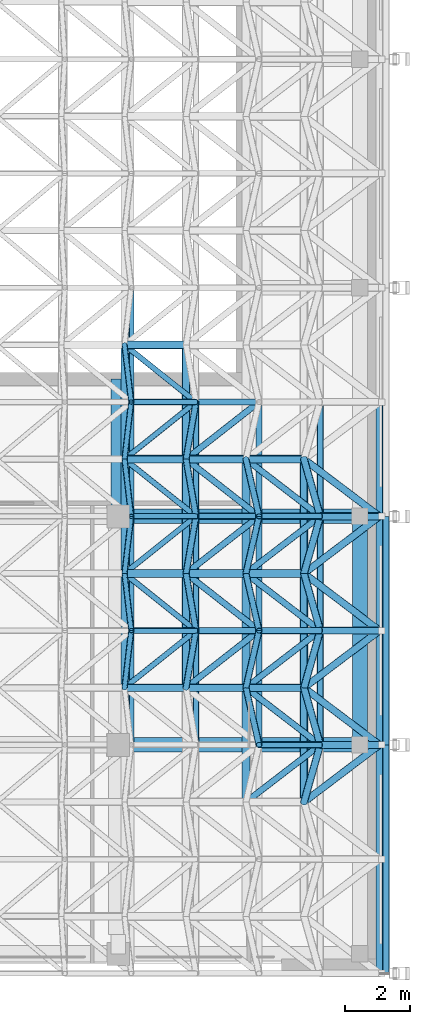
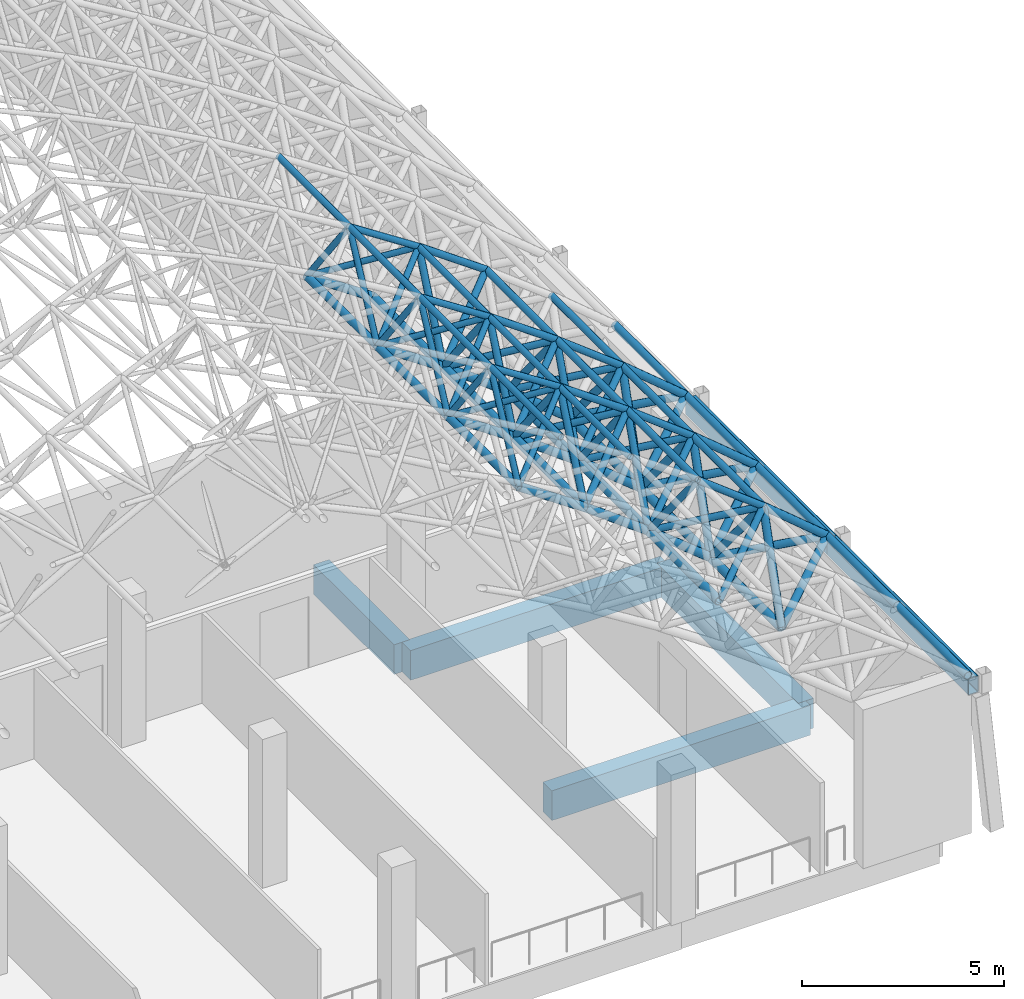
# One storey, part 48 of 141: 97 members, 6 beams.
"""IFC4 building model written with IfcOpenShell, lengths in metres."""

from ifc_helpers import new_model, si_unit, direction, frame, origin, origin_2d, place, context, subcontext, project, spatial, rectangle, hollow_rectangle, hollow_circle, extrude, material, material_profile, profile_set, type_object, element, save


model = new_model("IFC4")

# Units and contexts
model_context = context("Model", 3, precision=1e-05, world=origin(), true_north=direction((0.0, 1.0)))
body_context = subcontext(model_context, "Body", "Model", "MODEL_VIEW")
ifc_project = project(units=[si_unit("LENGTHUNIT", "METRE"), si_unit("AREAUNIT", "SQUARE_METRE"), si_unit("VOLUMEUNIT", "CUBIC_METRE"), si_unit("PLANEANGLEUNIT", "RADIAN"), si_unit("MASSUNIT", "GRAM", prefix="KILO")], contexts=[model_context])

# Site, building, storey
site_placement = place(None, origin())
site = spatial("IfcSite", under=ifc_project, at=site_placement, CompositionType="ELEMENT")
building_placement = place(site_placement, origin())
building = spatial("IfcBuilding", under=site, at=building_placement, Name="Lantern Court Media Centre", CompositionType="ELEMENT")
storey_placement = place(building_placement, frame((0.0, 0.0, 9.60009765625)))
storey = spatial("IfcBuildingStorey", under=building, at=storey_placement, Name="L02", CompositionType="ELEMENT", Elevation=9.60009765625)

# Beams
ifc_material_1 = material(Name="Concrete C35", Category="concrete")
ifc_material_profile_1 = material_profile(ifc_material_1, rectangle(XDim=0.449951171875, YDim=0.89990234375, at=origin_2d()), Name="RC 450x900")
ifc_profile_set_1 = profile_set([ifc_material_profile_1], Name="Concrete C35")
beam_type_1 = type_object("IfcBeamType", Name="RC BEAM 450x900", PredefinedType="BEAM", material=ifc_profile_set_1)
for number, where, z_axis, x_axis, name in (
    (1, (96.0, 5.0, -0.4501953125), (1.0, 0.0, 0.0), (0.0, 1.0, 0.0), "HB-V2-L02-FX1-3"),
    (2, (96.0, 12.0, -0.4501953125), (1.0, 0.0, 0.0), (0.0, 1.0, 0.0), "HB-V2-L02-FX2-3"),
):
    element("IfcBeam", number, at=place(storey_placement, frame(where, z_axis=z_axis, x_axis=x_axis)), inside=storey, type_object=beam_type_1, Name=name, PredefinedType="BEAM", context=body_context, shape_type="SweptSolid", body=[
        extrude(rectangle(XDim=0.449951171875, YDim=0.89990234375, at=origin_2d()), origin(), (0.0, 0.0, 1.0), 7.39990234375),
    ])
beam_1_placement = place(storey_placement, frame((96.0, 12.199951171875, -0.4501953125), z_axis=(0.0, 1.0, 0.0), x_axis=(-1.0, 0.0, 0.0)))
element("IfcBeam", 3, at=beam_1_placement, inside=storey, type_object=beam_type_1, Name="HB-V2-L02-FY3-2", PredefinedType="BEAM", context=body_context, shape_type="SweptSolid", body=[
    extrude(rectangle(XDim=0.449951171875, YDim=0.89990234375, at=origin_2d()), origin(), (0.0, 0.0, 1.0), 4.0),
])
beam_2_placement = place(storey_placement, frame((103.39990234375, 5.0, -0.4501953125), z_axis=(0.0, 1.0, 0.0), x_axis=(-1.0, 0.0, 0.0)))
element("IfcBeam", 4, at=beam_2_placement, inside=storey, type_object=beam_type_1, Name="HB-V2-L02-FY4-1", PredefinedType="BEAM", context=body_context, shape_type="SweptSolid", body=[
    extrude(rectangle(XDim=0.449951171875, YDim=0.89990234375, at=origin_2d()), origin(), (0.0, 0.0, 1.0), 7.0),
])

# Members
ifc_material_2 = material(Name="Steel S355J2 (EN 10025-2)", Category="steel")
ifc_material_profile_2 = material_profile(ifc_material_2, hollow_circle(Radius=0.109619140625, WallThickness=0.010009765625, at=origin_2d()), Name="Studio Hall bottom CHS 219.1x10")
ifc_profile_set_2 = profile_set([ifc_material_profile_2], Name="Steel S355J2 (EN 10025-2)")
member_type_1 = type_object("IfcMemberType", Name="Studio Hall bottom CHS 219.1x10", PredefinedType="CHORD", material=ifc_profile_set_2)
for number, where, z_axis, x_axis, name in (
    (5, (96.19091796875, 6.75, 7.953125), (0.0, 1.0, 0.0), (-1.0, 0.0, 0.0), "Studio Hall bottom chord 13-03"),
    (6, (96.19091796875, 10.25, 7.953125), (0.0, 1.0, 0.0), (-1.0, 0.0, 0.0), "Studio Hall bottom chord 13-04"),
    (7, (96.19091796875, 13.75, 7.953125), (0.0, 1.0, 0.0), (-1.0, 0.0, 0.0), "Studio Hall bottom chord 13-05"),
):
    element("IfcMember", number, at=place(storey_placement, frame(where, z_axis=z_axis, x_axis=x_axis)), inside=storey, type_object=member_type_1, Name=name, PredefinedType="CHORD", context=body_context, shape_type="SweptSolid", body=[
        extrude(hollow_circle(Radius=0.109619140625, WallThickness=0.010009765625, at=origin_2d()), origin(), (0.0, 0.0, 1.0), 3.5),
    ])
ifc_material_profile_3 = material_profile(ifc_material_2, hollow_circle(Radius=0.122314453125, WallThickness=0.012451171875, at=origin_2d()), Name="Studio Hall bottom CHS 244.5x12.5")
ifc_profile_set_3 = profile_set([ifc_material_profile_3], Name="Steel S355J2 (EN 10025-2)")
member_type_2 = type_object("IfcMemberType", Name="Studio Hall bottom CHS 244.5x12.5", PredefinedType="CHORD", material=ifc_profile_set_3)
for number, where, z_axis, x_axis, name in (
    (8, (98.076171875, 6.75, 6.66845703125), (0.0, 1.0, 0.0), (-1.0, 0.0, 0.0), "Studio Hall bottom chord 14-03"),
    (9, (98.076171875, 10.25, 6.66845703125), (0.0, 1.0, 0.0), (-1.0, 0.0, 0.0), "Studio Hall bottom chord 14-04"),
    (10, (98.076171875, 13.75, 6.66845703125), (0.0, 1.0, 0.0), (-1.0, 0.0, 0.0), "Studio Hall bottom chord 14-05"),
):
    element("IfcMember", number, at=place(storey_placement, frame(where, z_axis=z_axis, x_axis=x_axis)), inside=storey, type_object=member_type_2, Name=name, PredefinedType="CHORD", context=body_context, shape_type="SweptSolid", body=[
        extrude(hollow_circle(Radius=0.122314453125, WallThickness=0.012451171875, at=origin_2d()), origin(), (0.0, 0.0, 1.0), 3.5),
    ])
for number, where, z_axis, x_axis, name in (
    (11, (96.19091796875, 6.75, 7.953125), (0.826376743552, 0.0, -0.563117641099), (0.0, 1.0, 0.0), "Studio Hall bottom chord 13-03 across"),
    (12, (96.19091796875, 10.25, 7.953125), (0.826376743552, 0.0, -0.563117641099), (0.0, 1.0, 0.0), "Studio Hall bottom chord 13-04 across"),
    (13, (96.19091796875, 13.75, 7.953125), (0.826376743552, 0.0, -0.563117641099), (0.0, 1.0, 0.0), "Studio Hall bottom chord 13-05 across"),
    (14, (96.19091796875, 17.25, 7.953125), (0.826376743552, 0.0, -0.563117641099), (0.0, 1.0, 0.0), "Studio Hall bottom chord 13-06 across"),
):
    element("IfcMember", number, at=place(storey_placement, frame(where, z_axis=z_axis, x_axis=x_axis)), inside=storey, type_object=member_type_2, Name=name, PredefinedType="CHORD", context=body_context, shape_type="SweptSolid", body=[
        extrude(hollow_circle(Radius=0.122314453125, WallThickness=0.012451171875, at=origin_2d()), origin(), (0.0, 0.0, 1.0), 2.28125),
    ])
ifc_material_profile_4 = material_profile(ifc_material_2, hollow_circle(Radius=0.122314453125, WallThickness=0.01611328125, at=origin_2d()), Name="Studio Hall bottom CHS 244.5x16")
ifc_profile_set_4 = profile_set([ifc_material_profile_4], Name="Steel S355J2 (EN 10025-2)")
member_type_3 = type_object("IfcMemberType", Name="Studio Hall bottom CHS 244.5x16", PredefinedType="CHORD", material=ifc_profile_set_4)
for number, where, z_axis, x_axis, name in (
    (15, (99.909423828125, 3.25, 5.310546875), (0.0, 1.0, 0.0), (-1.0, 0.0, 0.0), "Studio Hall bottom chord 15-02"),
    (16, (99.909423828125, 6.75, 5.310546875), (0.0, 1.0, 0.0), (-1.0, 0.0, 0.0), "Studio Hall bottom chord 15-03"),
    (17, (99.909423828125, 10.25, 5.310546875), (0.0, 1.0, 0.0), (-1.0, 0.0, 0.0), "Studio Hall bottom chord 15-04"),
):
    element("IfcMember", number, at=place(storey_placement, frame(where, z_axis=z_axis, x_axis=x_axis)), inside=storey, type_object=member_type_3, Name=name, PredefinedType="CHORD", context=body_context, shape_type="SweptSolid", body=[
        extrude(hollow_circle(Radius=0.122314453125, WallThickness=0.01611328125, at=origin_2d()), origin(), (0.0, 0.0, 1.0), 3.5),
    ])
for number, where, z_axis, x_axis, name in (
    (18, (98.076171875, 6.75, 6.66845703125), (0.803568567589, 0.0, -0.59521219509), (0.0, 1.0, 0.0), "Studio Hall bottom chord 14-03 across"),
    (19, (98.076171875, 10.25, 6.66845703125), (0.803568567589, 0.0, -0.59521219509), (0.0, 1.0, 0.0), "Studio Hall bottom chord 14-04 across"),
    (20, (98.076171875, 13.75, 6.66845703125), (0.803568567589, 0.0, -0.59521219509), (0.0, 1.0, 0.0), "Studio Hall bottom chord 14-05 across"),
):
    element("IfcMember", number, at=place(storey_placement, frame(where, z_axis=z_axis, x_axis=x_axis)), inside=storey, type_object=member_type_3, Name=name, PredefinedType="CHORD", context=body_context, shape_type="SweptSolid", body=[
        extrude(hollow_circle(Radius=0.122314453125, WallThickness=0.01611328125, at=origin_2d()), origin(), (0.0, 0.0, 1.0), 2.281494140625),
    ])
ifc_material_profile_5 = material_profile(ifc_material_2, hollow_circle(Radius=0.122314453125, WallThickness=0.02001953125, at=origin_2d()), Name="Studio Hall bottom CHS 244.5x20")
ifc_profile_set_5 = profile_set([ifc_material_profile_5], Name="Steel S355J2 (EN 10025-2)")
member_type_4 = type_object("IfcMemberType", Name="Studio Hall bottom CHS 244.5x20", PredefinedType="CHORD", material=ifc_profile_set_5)
for number, where, z_axis, x_axis, name in (
    (21, (101.6875, 3.25, 3.881591796875), (0.0, 1.0, 0.0), (-1.0, 0.0, 0.0), "Studio Hall bottom chord 16-02"),
    (22, (101.6875, 6.75, 3.881591796875), (0.0, 1.0, 0.0), (-1.0, 0.0, 0.0), "Studio Hall bottom chord 16-03"),
    (23, (101.6875, 10.25, 3.881591796875), (0.0, 1.0, 0.0), (-1.0, 0.0, 0.0), "Studio Hall bottom chord 16-04"),
):
    element("IfcMember", number, at=place(storey_placement, frame(where, z_axis=z_axis, x_axis=x_axis)), inside=storey, type_object=member_type_4, Name=name, PredefinedType="CHORD", context=body_context, shape_type="SweptSolid", body=[
        extrude(hollow_circle(Radius=0.122314453125, WallThickness=0.02001953125, at=origin_2d()), origin(), (0.0, 0.0, 1.0), 3.5),
    ])
for number, where, z_axis, x_axis, name in (
    (24, (99.909423828125, 6.75, 5.310546875), (0.779478138425, 0.0, -0.626429430757), (0.0, 1.0, 0.0), "Studio Hall bottom chord 15-03 across"),
    (25, (99.909423828125, 10.25, 5.310546875), (0.779478138425, 0.0, -0.626429430757), (0.0, 1.0, 0.0), "Studio Hall bottom chord 15-04 across"),
    (26, (99.909423828125, 13.75, 5.310546875), (0.779478138425, 0.0, -0.626429430757), (0.0, 1.0, 0.0), "Studio Hall bottom chord 15-05 across"),
):
    element("IfcMember", number, at=place(storey_placement, frame(where, z_axis=z_axis, x_axis=x_axis)), inside=storey, type_object=member_type_4, Name=name, PredefinedType="CHORD", context=body_context, shape_type="SweptSolid", body=[
        extrude(hollow_circle(Radius=0.122314453125, WallThickness=0.02001953125, at=origin_2d()), origin(), (0.0, 0.0, 1.0), 2.281005859375),
    ])
ifc_material_profile_6 = material_profile(ifc_material_2, hollow_circle(Radius=0.084228515625, WallThickness=0.008056640625, at=origin_2d()), Name="Studio Hall diagonal CHS 168.3x8")
ifc_profile_set_6 = profile_set([ifc_material_profile_6], Name="Steel S355J2 (EN 10025-2)")
member_type_5 = type_object("IfcMemberType", Name="Studio Hall diagonal CHS 168.3x8", PredefinedType="BRACE", material=ifc_profile_set_6)
for number, where, z_axis, x_axis, name in (
    (27, (96.19091796875, 6.75, 7.953125), (0.719205791884, 0.57530042587, 0.38957983638), (-0.624652537065, 0.780902815937, 0.0), "Studio Hall diagonal 13-03-3"),
    (28, (96.19091796875, 6.75, 7.953125), (0.067256187735, 0.575289204878, 0.815180308865), (-0.993235466132, 0.116117650756, 0.0), "Studio Hall diagonal 13-03-4"),
    (29, (96.19091796875, 10.25, 7.953125), (0.067256187735, -0.575289204878, 0.815180308865), (0.993235466132, 0.116117650756, 0.0), "Studio Hall diagonal 13-04-1"),
    (30, (96.19091796875, 10.25, 7.953125), (0.719205791884, -0.57530042587, 0.38957983638), (0.624652537065, 0.780902815937, 0.0), "Studio Hall diagonal 13-04-2"),
    (31, (96.19091796875, 10.25, 7.953125), (0.719205791884, 0.57530042587, 0.38957983638), (-0.624652537065, 0.780902815937, 0.0), "Studio Hall diagonal 13-04-3"),
    (32, (96.19091796875, 10.25, 7.953125), (0.067256187735, 0.575289204878, 0.815180308865), (-0.993235466132, 0.116117650756, 0.0), "Studio Hall diagonal 13-04-4"),
    (33, (96.19091796875, 13.75, 7.953125), (0.067256187735, -0.575289204878, 0.815180308865), (0.993235466132, 0.116117650756, 0.0), "Studio Hall diagonal 13-05-1"),
    (34, (96.19091796875, 13.75, 7.953125), (0.719205791884, -0.57530042587, 0.38957983638), (0.624652537065, 0.780902815937, 0.0), "Studio Hall diagonal 13-05-2"),
    (35, (96.19091796875, 13.75, 7.953125), (0.719205791884, 0.57530042587, 0.38957983638), (-0.624652537065, 0.780902815937, 0.0), "Studio Hall diagonal 13-05-3"),
    (36, (96.19091796875, 13.75, 7.953125), (0.067256187735, 0.575289204878, 0.815180308865), (-0.993235466132, 0.116117650756, 0.0), "Studio Hall diagonal 13-05-4"),
    (37, (96.19091796875, 17.25, 7.953125), (0.067256187735, -0.575289204878, 0.815180308865), (0.993235466132, 0.116117650756, 0.0), "Studio Hall diagonal 13-06-1"),
    (38, (96.19091796875, 17.25, 7.953125), (0.719205791884, -0.57530042587, 0.38957983638), (0.624652537065, 0.780902815937, 0.0), "Studio Hall diagonal 13-06-2"),
):
    element("IfcMember", number, at=place(storey_placement, frame(where, z_axis=z_axis, x_axis=x_axis)), inside=storey, type_object=member_type_5, Name=name, PredefinedType="BRACE", context=body_context, shape_type="SweptSolid", body=[
        extrude(hollow_circle(Radius=0.084228515625, WallThickness=0.008056640625, at=origin_2d()), origin(), (0.0, 0.0, 1.0), 3.0419921875),
    ])
ifc_material_profile_7 = material_profile(ifc_material_2, hollow_circle(Radius=0.096923828125, WallThickness=0.010009765625, at=origin_2d()), Name="Studio Hall diagonal CHS 193.7x10")
ifc_profile_set_7 = profile_set([ifc_material_profile_7], Name="Steel S355J2 (EN 10025-2)")
member_type_6 = type_object("IfcMemberType", Name="Studio Hall diagonal CHS 193.7x10", PredefinedType="BRACE", material=ifc_profile_set_7)
for number, where, z_axis, x_axis, name in (
    (39, (99.909423828125, 3.25, 5.310546875), (0.747676961141, 0.575284291269, 0.331703400644), (-0.609809429153, 0.792548080634, 0.0), "Studio Hall diagonal 15-02-3"),
    (40, (99.909423828125, 6.75, 5.310546875), (0.13137534314, -0.575258680284, 0.807352444706), (0.97489985117, 0.222643841569, 0.0), "Studio Hall diagonal 15-03-1"),
    (41, (99.909423828125, 6.75, 5.310546875), (0.747676961141, -0.575284291269, 0.331703400644), (0.609809429153, 0.792548080634, 0.0), "Studio Hall diagonal 15-03-2"),
    (42, (99.909423828125, 6.75, 5.310546875), (0.747676961141, 0.575284291269, 0.331703400644), (-0.609809429153, 0.792548080634, 0.0), "Studio Hall diagonal 15-03-3"),
    (43, (99.909423828125, 6.75, 5.310546875), (0.13137534314, 0.575258680284, 0.807352444706), (-0.97489985117, 0.222643841569, 0.0), "Studio Hall diagonal 15-03-4"),
    (44, (99.909423828125, 10.25, 5.310546875), (0.13137534314, -0.575258680284, 0.807352444706), (0.97489985117, 0.222643841569, 0.0), "Studio Hall diagonal 15-04-1"),
    (45, (99.909423828125, 10.25, 5.310546875), (0.747676961141, -0.575284291269, 0.331703400644), (0.609809429153, 0.792548080634, 0.0), "Studio Hall diagonal 15-04-2"),
    (46, (99.909423828125, 10.25, 5.310546875), (0.747676961141, 0.575284291269, 0.331703400644), (-0.609809429153, 0.792548080634, 0.0), "Studio Hall diagonal 15-04-3"),
    (47, (99.909423828125, 10.25, 5.310546875), (0.13137534314, 0.575258680284, 0.807352444706), (-0.97489985117, 0.222643841569, 0.0), "Studio Hall diagonal 15-04-4"),
    (48, (99.909423828125, 13.75, 5.310546875), (0.13137534314, -0.575258680284, 0.807352444706), (0.97489985117, 0.222643841569, 0.0), "Studio Hall diagonal 15-05-1"),
    (49, (99.909423828125, 13.75, 5.310546875), (0.747676961141, -0.575284291269, 0.331703400644), (0.609809429153, 0.792548080634, 0.0), "Studio Hall diagonal 15-05-2"),
):
    element("IfcMember", number, at=place(storey_placement, frame(where, z_axis=z_axis, x_axis=x_axis)), inside=storey, type_object=member_type_6, Name=name, PredefinedType="BRACE", context=body_context, shape_type="SweptSolid", body=[
        extrude(hollow_circle(Radius=0.096923828125, WallThickness=0.010009765625, at=origin_2d()), origin(), (0.0, 0.0, 1.0), 3.0419921875),
    ])
ifc_material_profile_8 = material_profile(ifc_material_2, hollow_circle(Radius=0.096923828125, WallThickness=0.008056640625, at=origin_2d()), Name="Studio Hall diagonal CHS 193.7x8")
ifc_profile_set_8 = profile_set([ifc_material_profile_8], Name="Steel S355J2 (EN 10025-2)")
member_type_7 = type_object("IfcMemberType", Name="Studio Hall diagonal CHS 193.7x8", PredefinedType="BRACE", material=ifc_profile_set_8)
for number, where, z_axis, x_axis, name in (
    (50, (98.076171875, 6.75, 6.66845703125), (0.734005385991, 0.57526247614, 0.360983624118), (-0.616855729008, 0.787076241282, 0.0), "Studio Hall diagonal 14-03-3"),
    (51, (98.076171875, 6.75, 6.66845703125), (0.099439098635, 0.575286084759, 0.811885328323), (-0.985387799185, 0.170325820758, 0.0), "Studio Hall diagonal 14-03-4"),
    (52, (98.076171875, 10.25, 6.66845703125), (0.099439098635, -0.575286084759, 0.811885328323), (0.985387799185, 0.170325820758, 0.0), "Studio Hall diagonal 14-04-1"),
    (53, (98.076171875, 10.25, 6.66845703125), (0.734005385991, -0.57526247614, 0.360983624118), (0.616855729008, 0.787076241282, 0.0), "Studio Hall diagonal 14-04-2"),
    (54, (98.076171875, 10.25, 6.66845703125), (0.734005385991, 0.57526247614, 0.360983624118), (-0.616855729008, 0.787076241282, 0.0), "Studio Hall diagonal 14-04-3"),
    (55, (98.076171875, 10.25, 6.66845703125), (0.099439098635, 0.575286084759, 0.811885328323), (-0.985387799185, 0.170325820758, 0.0), "Studio Hall diagonal 14-04-4"),
    (56, (98.076171875, 13.75, 6.66845703125), (0.099439098635, -0.575286084759, 0.811885328323), (0.985387799185, 0.170325820758, 0.0), "Studio Hall diagonal 14-05-1"),
    (57, (98.076171875, 13.75, 6.66845703125), (0.734005385991, -0.57526247614, 0.360983624118), (0.616855729008, 0.787076241282, 0.0), "Studio Hall diagonal 14-05-2"),
    (58, (98.076171875, 13.75, 6.66845703125), (0.734005385991, 0.57526247614, 0.360983624118), (-0.616855729008, 0.787076241282, 0.0), "Studio Hall diagonal 14-05-3"),
    (59, (98.076171875, 13.75, 6.66845703125), (0.099439098635, 0.575286084759, 0.811885328323), (-0.985387799185, 0.170325820758, 0.0), "Studio Hall diagonal 14-05-4"),
):
    element("IfcMember", number, at=place(storey_placement, frame(where, z_axis=z_axis, x_axis=x_axis)), inside=storey, type_object=member_type_7, Name=name, PredefinedType="BRACE", context=body_context, shape_type="SweptSolid", body=[
        extrude(hollow_circle(Radius=0.096923828125, WallThickness=0.008056640625, at=origin_2d()), origin(), (0.0, 0.0, 1.0), 3.0419921875),
    ])
ifc_material_profile_9 = material_profile(ifc_material_2, hollow_circle(Radius=0.109619140625, WallThickness=0.010009765625, at=origin_2d()), Name="Studio Hall diagonal CHS 219.1x10")
ifc_profile_set_9 = profile_set([ifc_material_profile_9], Name="Steel S355J2 (EN 10025-2)")
member_type_8 = type_object("IfcMemberType", Name="Studio Hall diagonal CHS 219.1x10", PredefinedType="BRACE", material=ifc_profile_set_9)
member_1_placement = place(storey_placement, frame((101.6875, 3.25, 3.881591796875), z_axis=(0.760210907984, 0.575294741177, 0.301853169862), x_axis=(-0.603442670186, 0.797406385602, 0.0)))
element("IfcMember", 60, at=member_1_placement, inside=storey, type_object=member_type_8, Name="Studio Hall diagonal 16-02-3", PredefinedType="BRACE", context=body_context, shape_type="SweptSolid", body=[
    extrude(hollow_circle(Radius=0.109619140625, WallThickness=0.010009765625, at=origin_2d()), origin(), (0.0, 0.0, 1.0), 3.0419921875),
])
for number, where, z_axis, x_axis, name in (
    (61, (101.6875, 3.25, 3.881591796875), (0.163171626005, 0.575314419679, 0.801491321835), (-0.962053941871, 0.2728593281, 0.0), "Studio Hall diagonal 16-02-4"),
    (62, (101.6875, 6.75, 3.881591796875), (0.163171626005, -0.575314419679, 0.801491321835), (0.962053941871, 0.2728593281, 0.0), "Studio Hall diagonal 16-03-1"),
):
    element("IfcMember", number, at=place(storey_placement, frame(where, z_axis=z_axis, x_axis=x_axis)), inside=storey, type_object=member_type_8, Name=name, PredefinedType="BRACE", context=body_context, shape_type="SweptSolid", body=[
        extrude(hollow_circle(Radius=0.109619140625, WallThickness=0.010009765625, at=origin_2d()), origin(), (0.0, 0.0, 1.0), 3.041748046875),
    ])
for number, where, z_axis, x_axis, name in (
    (63, (101.6875, 6.75, 3.881591796875), (0.760210907984, -0.575294741177, 0.301853169862), (0.603442670186, 0.797406385602, 0.0), "Studio Hall diagonal 16-03-2"),
    (64, (101.6875, 6.75, 3.881591796875), (0.760210907984, 0.575294741177, 0.301853169862), (-0.603442670186, 0.797406385602, 0.0), "Studio Hall diagonal 16-03-3"),
):
    element("IfcMember", number, at=place(storey_placement, frame(where, z_axis=z_axis, x_axis=x_axis)), inside=storey, type_object=member_type_8, Name=name, PredefinedType="BRACE", context=body_context, shape_type="SweptSolid", body=[
        extrude(hollow_circle(Radius=0.109619140625, WallThickness=0.010009765625, at=origin_2d()), origin(), (0.0, 0.0, 1.0), 3.0419921875),
    ])
for number, where, z_axis, x_axis, name in (
    (65, (101.6875, 6.75, 3.881591796875), (0.163171626005, 0.575314419679, 0.801491321835), (-0.962053941871, 0.2728593281, 0.0), "Studio Hall diagonal 16-03-4"),
    (66, (101.6875, 10.25, 3.881591796875), (0.163171626005, -0.575314419679, 0.801491321835), (0.962053941871, 0.2728593281, 0.0), "Studio Hall diagonal 16-04-1"),
):
    element("IfcMember", number, at=place(storey_placement, frame(where, z_axis=z_axis, x_axis=x_axis)), inside=storey, type_object=member_type_8, Name=name, PredefinedType="BRACE", context=body_context, shape_type="SweptSolid", body=[
        extrude(hollow_circle(Radius=0.109619140625, WallThickness=0.010009765625, at=origin_2d()), origin(), (0.0, 0.0, 1.0), 3.041748046875),
    ])
for number, where, z_axis, x_axis, name in (
    (67, (101.6875, 10.25, 3.881591796875), (0.760210907984, -0.575294741177, 0.301853169862), (0.603442670186, 0.797406385602, 0.0), "Studio Hall diagonal 16-04-2"),
    (68, (101.6875, 10.25, 3.881591796875), (0.760210907984, 0.575294741177, 0.301853169862), (-0.603442670186, 0.797406385602, 0.0), "Studio Hall diagonal 16-04-3"),
):
    element("IfcMember", number, at=place(storey_placement, frame(where, z_axis=z_axis, x_axis=x_axis)), inside=storey, type_object=member_type_8, Name=name, PredefinedType="BRACE", context=body_context, shape_type="SweptSolid", body=[
        extrude(hollow_circle(Radius=0.109619140625, WallThickness=0.010009765625, at=origin_2d()), origin(), (0.0, 0.0, 1.0), 3.0419921875),
    ])
for number, where, z_axis, x_axis, name in (
    (69, (101.6875, 10.25, 3.881591796875), (0.163171626005, 0.575314419679, 0.801491321835), (-0.962053941871, 0.2728593281, 0.0), "Studio Hall diagonal 16-04-4"),
    (70, (101.6875, 13.75, 3.881591796875), (0.163171626005, -0.575314419679, 0.801491321835), (0.962053941871, 0.2728593281, 0.0), "Studio Hall diagonal 16-05-1"),
):
    element("IfcMember", number, at=place(storey_placement, frame(where, z_axis=z_axis, x_axis=x_axis)), inside=storey, type_object=member_type_8, Name=name, PredefinedType="BRACE", context=body_context, shape_type="SweptSolid", body=[
        extrude(hollow_circle(Radius=0.109619140625, WallThickness=0.010009765625, at=origin_2d()), origin(), (0.0, 0.0, 1.0), 3.041748046875),
    ])
member_2_placement = place(storey_placement, frame((101.6875, 13.75, 3.881591796875), z_axis=(0.760210907984, -0.575294741177, 0.301853169862), x_axis=(0.603442670186, 0.797406385602, 0.0)))
element("IfcMember", 71, at=member_2_placement, inside=storey, type_object=member_type_8, Name="Studio Hall diagonal 16-05-2", PredefinedType="BRACE", context=body_context, shape_type="SweptSolid", body=[
    extrude(hollow_circle(Radius=0.109619140625, WallThickness=0.010009765625, at=origin_2d()), origin(), (0.0, 0.0, 1.0), 3.0419921875),
])

# Beams
ifc_material_profile_10 = material_profile(ifc_material_2, hollow_rectangle(XDim=0.300048828125, YDim=0.5, WallThickness=0.01611328125, InnerFilletRadius=0.01611328125, OuterFilletRadius=0.02392578125, at=origin_2d()), Name="Studio Hall edge girder RHS 500x300x16")
ifc_profile_set_10 = profile_set([ifc_material_profile_10], Name="Steel S355J2 (EN 10025-2)")
beam_type_2 = type_object("IfcBeamType", Name="Studio Hall edge girder RHS 500x300x16", PredefinedType="BEAM", material=ifc_profile_set_10)
for number, where, z_axis, x_axis, name in (
    (72, (104.14990234375, -2.0, 4.449951171875), (0.0, 1.0, 0.0), (-1.0, 0.0, 0.0), "Studio Hall edge girder east 1"),
    (73, (104.14990234375, 5.0, 4.449951171875), (0.0, 1.0, 0.0), (-1.0, 0.0, 0.0), "Studio Hall edge girder east 2"),
):
    element("IfcBeam", number, at=place(storey_placement, frame(where, z_axis=z_axis, x_axis=x_axis)), inside=storey, type_object=beam_type_2, Name=name, PredefinedType="BEAM", context=body_context, shape_type="SweptSolid", body=[
        extrude(hollow_rectangle(XDim=0.300048828125, YDim=0.5, WallThickness=0.01611328125, InnerFilletRadius=0.01611328125, OuterFilletRadius=0.02392578125, at=origin_2d()), origin(), (0.0, 0.0, 1.0), 7.0),
    ])

# Members
ifc_material_profile_11 = material_profile(ifc_material_2, hollow_circle(Radius=0.0888671875, WallThickness=0.010009765625, at=origin_2d()), Name="Studio Hall top CHS 177.8x10")
ifc_profile_set_11 = profile_set([ifc_material_profile_11], Name="Steel S355J2 (EN 10025-2)")
member_type_9 = type_object("IfcMemberType", Name="Studio Hall top CHS 177.8x10", PredefinedType="CHORD", material=ifc_profile_set_11)
for number, where, z_axis, x_axis, name in (
    (74, (98.378662109375, 5.0, 9.13818359375), (0.0, 1.0, 0.0), (-1.0, 0.0, 0.0), "Studio Hall top chord 14-03"),
    (75, (98.378662109375, 8.5, 9.13818359375), (0.0, 1.0, 0.0), (-1.0, 0.0, 0.0), "Studio Hall top chord 14-04"),
    (76, (98.378662109375, 12.0, 9.13818359375), (0.0, 1.0, 0.0), (-1.0, 0.0, 0.0), "Studio Hall top chord 14-05"),
):
    element("IfcMember", number, at=place(storey_placement, frame(where, z_axis=z_axis, x_axis=x_axis)), inside=storey, type_object=member_type_9, Name=name, PredefinedType="CHORD", context=body_context, shape_type="SweptSolid", body=[
        extrude(hollow_circle(Radius=0.0888671875, WallThickness=0.010009765625, at=origin_2d()), origin(), (0.0, 0.0, 1.0), 3.5),
    ])
for number, where, z_axis, x_axis, name in (
    (77, (96.3955078125, 8.5, 10.432861328125), (0.837356212506, 0.0, -0.546657638178), (0.0, 1.0, 0.0), "Studio Hall top chord 13-04 across"),
    (78, (96.3955078125, 12.0, 10.432861328125), (0.837356212506, 0.0, -0.546657638178), (0.0, 1.0, 0.0), "Studio Hall top chord 13-05 across"),
    (79, (96.3955078125, 15.5, 10.432861328125), (0.837356212506, 0.0, -0.546657638178), (0.0, 1.0, 0.0), "Studio Hall top chord 13-06 across"),
):
    element("IfcMember", number, at=place(storey_placement, frame(where, z_axis=z_axis, x_axis=x_axis)), inside=storey, type_object=member_type_9, Name=name, PredefinedType="CHORD", context=body_context, shape_type="SweptSolid", body=[
        extrude(hollow_circle(Radius=0.0888671875, WallThickness=0.010009765625, at=origin_2d()), origin(), (0.0, 0.0, 1.0), 2.368408203125),
    ])
ifc_material_profile_12 = material_profile(ifc_material_2, hollow_circle(Radius=0.0888671875, WallThickness=0.008056640625, at=origin_2d()), Name="Studio Hall top CHS 177.8x8")
ifc_profile_set_12 = profile_set([ifc_material_profile_12], Name="Steel S355J2 (EN 10025-2)")
member_type_10 = type_object("IfcMemberType", Name="Studio Hall top CHS 177.8x8", PredefinedType="CHORD", material=ifc_profile_set_12)
for number, where, z_axis, x_axis, name in (
    (80, (96.3955078125, 5.0, 10.432861328125), (0.0, 1.0, 0.0), (-1.0, 0.0, 0.0), "Studio Hall top chord 13-03"),
    (81, (96.3955078125, 8.5, 10.432861328125), (0.0, 1.0, 0.0), (-1.0, 0.0, 0.0), "Studio Hall top chord 13-04"),
    (82, (96.3955078125, 12.0, 10.432861328125), (0.0, 1.0, 0.0), (-1.0, 0.0, 0.0), "Studio Hall top chord 13-05"),
    (83, (96.3955078125, 15.5, 10.432861328125), (0.0, 1.0, 0.0), (-1.0, 0.0, 0.0), "Studio Hall top chord 13-06"),
):
    element("IfcMember", number, at=place(storey_placement, frame(where, z_axis=z_axis, x_axis=x_axis)), inside=storey, type_object=member_type_10, Name=name, PredefinedType="CHORD", context=body_context, shape_type="SweptSolid", body=[
        extrude(hollow_circle(Radius=0.0888671875, WallThickness=0.008056640625, at=origin_2d()), origin(), (0.0, 0.0, 1.0), 3.5),
    ])
ifc_material_profile_13 = material_profile(ifc_material_2, hollow_circle(Radius=0.096923828125, WallThickness=0.010009765625, at=origin_2d()), Name="Studio Hall top CHS 193.7x10")
ifc_profile_set_13 = profile_set([ifc_material_profile_13], Name="Steel S355J2 (EN 10025-2)")
member_type_11 = type_object("IfcMemberType", Name="Studio Hall top CHS 193.7x10", PredefinedType="CHORD", material=ifc_profile_set_13)
for number, where, z_axis, x_axis, name in (
    (84, (100.30908203125, 5.0, 7.7666015625), (0.0, 1.0, 0.0), (-1.0, 0.0, 0.0), "Studio Hall top chord 15-03"),
    (85, (100.30908203125, 8.5, 7.7666015625), (0.0, 1.0, 0.0), (-1.0, 0.0, 0.0), "Studio Hall top chord 15-04"),
    (86, (100.30908203125, 12.0, 7.7666015625), (0.0, 1.0, 0.0), (-1.0, 0.0, 0.0), "Studio Hall top chord 15-05"),
):
    element("IfcMember", number, at=place(storey_placement, frame(where, z_axis=z_axis, x_axis=x_axis)), inside=storey, type_object=member_type_11, Name=name, PredefinedType="CHORD", context=body_context, shape_type="SweptSolid", body=[
        extrude(hollow_circle(Radius=0.096923828125, WallThickness=0.010009765625, at=origin_2d()), origin(), (0.0, 0.0, 1.0), 3.5),
    ])
for number, where, z_axis, x_axis, name in (
    (87, (98.378662109375, 8.5, 9.13818359375), (0.815186813221, 0.0, -0.579198117703), (0.0, 1.0, 0.0), "Studio Hall top chord 14-04 across"),
    (88, (98.378662109375, 12.0, 9.13818359375), (0.815186813221, 0.0, -0.579198117703), (0.0, 1.0, 0.0), "Studio Hall top chord 14-05 across"),
    (89, (98.378662109375, 15.5, 9.13818359375), (0.815186813221, 0.0, -0.579198117703), (0.0, 1.0, 0.0), "Studio Hall top chord 14-06 across"),
):
    element("IfcMember", number, at=place(storey_placement, frame(where, z_axis=z_axis, x_axis=x_axis)), inside=storey, type_object=member_type_11, Name=name, PredefinedType="CHORD", context=body_context, shape_type="SweptSolid", body=[
        extrude(hollow_circle(Radius=0.096923828125, WallThickness=0.010009765625, at=origin_2d()), origin(), (0.0, 0.0, 1.0), 2.3681640625),
    ])
ifc_material_profile_14 = material_profile(ifc_material_2, hollow_circle(Radius=0.096923828125, WallThickness=0.012451171875, at=origin_2d()), Name="Studio Hall top CHS 193.7x12.5")
ifc_profile_set_14 = profile_set([ifc_material_profile_14], Name="Steel S355J2 (EN 10025-2)")
member_type_12 = type_object("IfcMemberType", Name="Studio Hall top CHS 193.7x12.5", PredefinedType="CHORD", material=ifc_profile_set_14)
for number, where, z_axis, x_axis, name in (
    (90, (102.183837890625, 5.0, 6.319580078125), (0.0, 1.0, 0.0), (-1.0, 0.0, 0.0), "Studio Hall top chord 16-03"),
    (91, (102.183837890625, 8.5, 6.319580078125), (0.0, 1.0, 0.0), (-1.0, 0.0, 0.0), "Studio Hall top chord 16-04"),
    (92, (102.183837890625, 12.0, 6.319580078125), (0.0, 1.0, 0.0), (-1.0, 0.0, 0.0), "Studio Hall top chord 16-05"),
):
    element("IfcMember", number, at=place(storey_placement, frame(where, z_axis=z_axis, x_axis=x_axis)), inside=storey, type_object=member_type_12, Name=name, PredefinedType="CHORD", context=body_context, shape_type="SweptSolid", body=[
        extrude(hollow_circle(Radius=0.096923828125, WallThickness=0.012451171875, at=origin_2d()), origin(), (0.0, 0.0, 1.0), 3.5),
    ])
for number, where, z_axis, x_axis, name in (
    (93, (100.30908203125, 5.0, 7.7666015625), (0.791622688111, 0.0, -0.611010245141), (0.0, 1.0, 0.0), "Studio Hall top chord 15-03 across"),
    (94, (100.30908203125, 8.5, 7.7666015625), (0.791622688111, 0.0, -0.611010245141), (0.0, 1.0, 0.0), "Studio Hall top chord 15-04 across"),
    (95, (100.30908203125, 12.0, 7.7666015625), (0.791622688111, 0.0, -0.611010245141), (0.0, 1.0, 0.0), "Studio Hall top chord 15-05 across"),
):
    element("IfcMember", number, at=place(storey_placement, frame(where, z_axis=z_axis, x_axis=x_axis)), inside=storey, type_object=member_type_12, Name=name, PredefinedType="CHORD", context=body_context, shape_type="SweptSolid", body=[
        extrude(hollow_circle(Radius=0.096923828125, WallThickness=0.012451171875, at=origin_2d()), origin(), (0.0, 0.0, 1.0), 2.3681640625),
    ])
ifc_material_profile_15 = material_profile(ifc_material_2, hollow_circle(Radius=0.109619140625, WallThickness=0.012451171875, at=origin_2d()), Name="Studio Hall top CHS 219.1x12.5")
ifc_profile_set_15 = profile_set([ifc_material_profile_15], Name="Steel S355J2 (EN 10025-2)")
member_type_13 = type_object("IfcMemberType", Name="Studio Hall top CHS 219.1x12.5", PredefinedType="CHORD", material=ifc_profile_set_15)
for number, where, z_axis, x_axis, name in (
    (96, (104.0, -2.0, 4.7998046875), (0.0, 1.0, 0.0), (-1.0, 0.0, 0.0), "Studio Hall top chord 17-01"),
    (97, (104.0, 1.5, 4.7998046875), (0.0, 1.0, 0.0), (-1.0, 0.0, 0.0), "Studio Hall top chord 17-02"),
    (98, (104.0, 5.0, 4.7998046875), (0.0, 1.0, 0.0), (-1.0, 0.0, 0.0), "Studio Hall top chord 17-03"),
    (99, (104.0, 8.5, 4.7998046875), (0.0, 1.0, 0.0), (-1.0, 0.0, 0.0), "Studio Hall top chord 17-04"),
    (100, (104.0, 12.0, 4.7998046875), (0.0, 1.0, 0.0), (-1.0, 0.0, 0.0), "Studio Hall top chord 17-05"),
):
    element("IfcMember", number, at=place(storey_placement, frame(where, z_axis=z_axis, x_axis=x_axis)), inside=storey, type_object=member_type_13, Name=name, PredefinedType="CHORD", context=body_context, shape_type="SweptSolid", body=[
        extrude(hollow_circle(Radius=0.109619140625, WallThickness=0.012451171875, at=origin_2d()), origin(), (0.0, 0.0, 1.0), 3.5),
    ])
for number, where, z_axis, x_axis, name in (
    (101, (102.183837890625, 5.0, 6.319580078125), (0.766909881815, 0.0, -0.641754807675), (0.0, 1.0, 0.0), "Studio Hall top chord 16-03 across"),
    (102, (102.183837890625, 8.5, 6.319580078125), (0.766909881815, 0.0, -0.641754807675), (0.0, 1.0, 0.0), "Studio Hall top chord 16-04 across"),
    (103, (102.183837890625, 12.0, 6.319580078125), (0.766909881815, 0.0, -0.641754807675), (0.0, 1.0, 0.0), "Studio Hall top chord 16-05 across"),
):
    element("IfcMember", number, at=place(storey_placement, frame(where, z_axis=z_axis, x_axis=x_axis)), inside=storey, type_object=member_type_13, Name=name, PredefinedType="CHORD", context=body_context, shape_type="SweptSolid", body=[
        extrude(hollow_circle(Radius=0.109619140625, WallThickness=0.012451171875, at=origin_2d()), origin(), (0.0, 0.0, 1.0), 2.3681640625),
    ])

save(model, "model.ifc")
